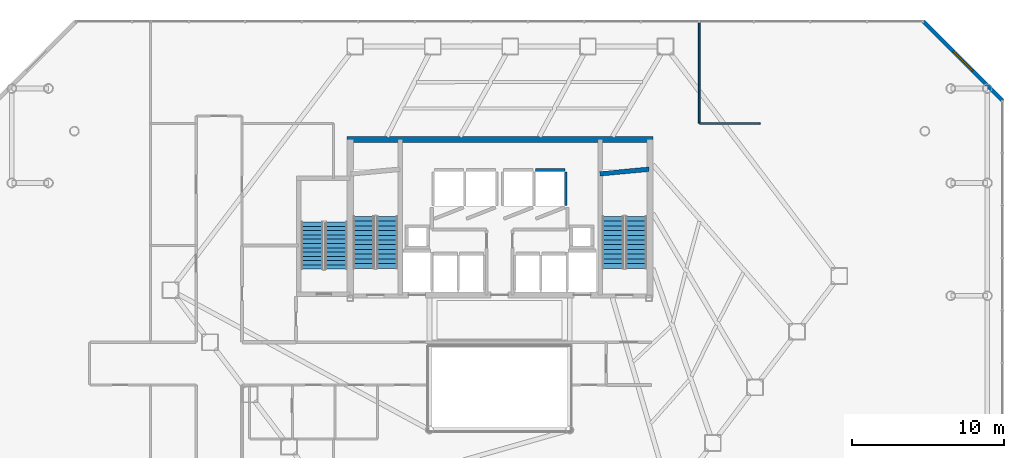
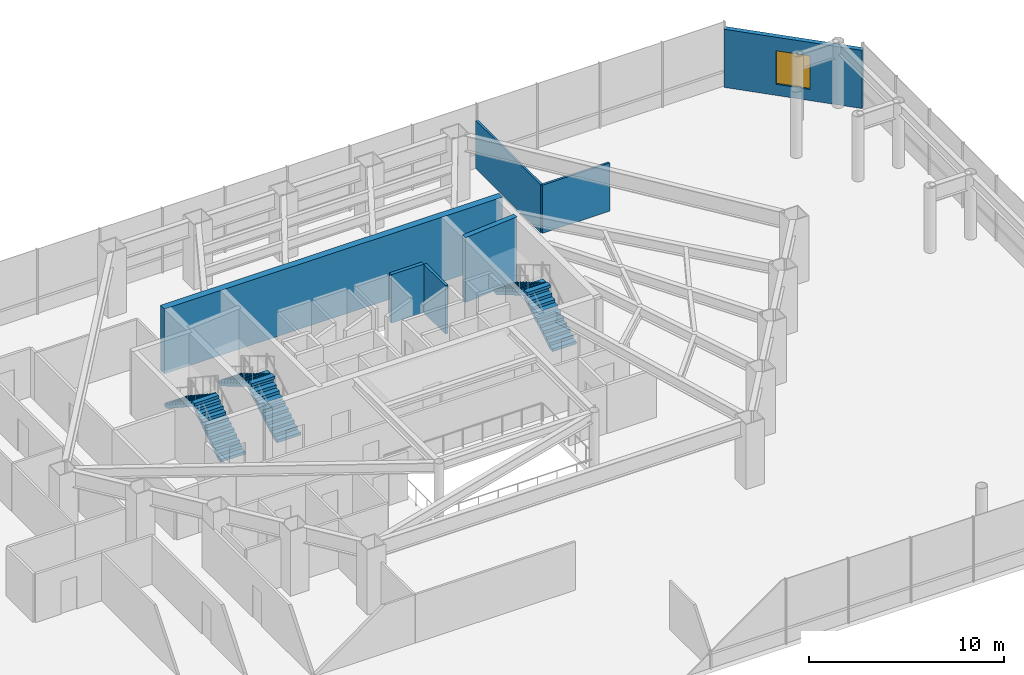
# One storey, part 32 of 33: 7 walls, 6 stair flights, 1 window, 1 opening, 3 elements without a shape of their own.
"""IFC4 building model written with IfcOpenShell, lengths in metres."""

import ifcopenshell
import ifcopenshell.guid

model = None  # the IFC model being written
_history = None  # IfcOwnerHistory: only IFC2X3 demands one
_inside = {}  # id of a spatial element -> (the spatial element, [elements in it])
_under = {}  # id of a project, library or spatial element -> (it, [spatial elements below it])
_declared = {}  # id of a project -> (the project, [libraries it declares])
_typed = {}  # id of a type object -> (the type object, [elements of that type])
_made_of = {}  # id of a material, layer set ... -> (it, [elements and type objects made of it])


def new_model(schema):
    """Start an empty IFC model of exactly this schema.

    Asked for "IFC4X3", IfcOpenShell would pick the latest addendum, in which some entities
    have other attributes; the version numbers below select the first issue.
    IFC2X3 requires an IfcOwnerHistory on every rooted entity: one is made here for all.
    """
    global model, _history
    if schema == "IFC4X3":
        model = ifcopenshell.file(schema_version=(4, 3, 0, 0))
    else:
        model = ifcopenshell.file(schema=schema)
    _inside.clear()
    _under.clear()
    _declared.clear()
    _typed.clear()
    _made_of.clear()
    _history = None
    if model.schema == "IFC2X3":
        org = make("IfcOrganization", Name="unknown")
        user = make(
            "IfcPersonAndOrganization",
            ThePerson=make("IfcPerson", FamilyName="unknown"),
            TheOrganization=org,
        )
        app = make(
            "IfcApplication",
            ApplicationDeveloper=org,
            Version="unknown",
            ApplicationFullName="unknown",
            ApplicationIdentifier="unknown",
        )
        _history = make(
            "IfcOwnerHistory",
            OwningUser=user,
            OwningApplication=app,
            ChangeAction="ADDED",
            CreationDate=0,
        )
    return model


def make(cls, **values):
    """One entity of the class cls with the attributes given. An attribute that is None is left unset."""
    return model.create_entity(
        cls, **{name: value for name, value in values.items() if value is not None}
    )


def rooted(cls, **values):
    """An entity with a GlobalId (a new one), such as an element, a storey or a relation."""
    return make(cls, GlobalId=ifcopenshell.guid.new(), OwnerHistory=_history, **values)


def si_unit(unit_type, name, prefix=None):
    """IfcSIUnit, for example si_unit("LENGTHUNIT", "METRE", prefix="MILLI")."""
    return make("IfcSIUnit", UnitType=unit_type, Prefix=prefix, Name=name)


def assignment(units):
    """IfcUnitAssignment: the units of a project."""
    return None if units is None else make("IfcUnitAssignment", Units=units)


def point(xyz):
    """IfcCartesianPoint."""
    return None if xyz is None else make("IfcCartesianPoint", Coordinates=xyz)


def direction(xyz):
    """IfcDirection."""
    return None if xyz is None else make("IfcDirection", DirectionRatios=xyz)


def frame(location, z_axis=None, x_axis=None):
    """IfcAxis2Placement3D, a coordinate frame: its origin and axes. An axis left out is left unset."""
    return make(
        "IfcAxis2Placement3D",
        Location=point(location),
        Axis=direction(z_axis),
        RefDirection=direction(x_axis),
    )


def frame_2d(location, x_axis=None):
    """IfcAxis2Placement2D, a coordinate frame in the plane: its origin and x axis."""
    return make(
        "IfcAxis2Placement2D", Location=point(location), RefDirection=direction(x_axis)
    )


def origin():
    """The frame at (0, 0, 0) with its axes left unset."""
    return frame((0.0, 0.0, 0.0))


def place(relative_to, where):
    """IfcLocalPlacement: puts the frame where relative to a parent placement (None: the world)."""
    return make(
        "IfcLocalPlacement", PlacementRelTo=relative_to, RelativePlacement=where
    )


def context(
    kind, dimensions, precision=None, world=None, true_north=None, identifier=None
):
    """IfcGeometricRepresentationContext, for example the 3D "Model" context."""
    return make(
        "IfcGeometricRepresentationContext",
        ContextIdentifier=identifier,
        ContextType=kind,
        CoordinateSpaceDimension=dimensions,
        Precision=precision,
        WorldCoordinateSystem=world,
        TrueNorth=true_north,
    )


def subcontext(parent, identifier, kind, view, scale=None):
    """IfcGeometricRepresentationSubContext, for example "Body" below "Model"."""
    return make(
        "IfcGeometricRepresentationSubContext",
        ContextIdentifier=identifier,
        ContextType=kind,
        ParentContext=parent,
        TargetScale=scale,
        TargetView=view,
    )


def project(units=None, contexts=None):
    """IfcProject with its units and contexts."""
    return rooted(
        "IfcProject",
        Name="project",
        RepresentationContexts=contexts,
        UnitsInContext=assignment(units),
    )


def spatial(cls, under=None, at=None, **own):
    """A site, building, storey or space (cls), placed at a placement, below another one or the project."""
    s = rooted(cls, ObjectPlacement=at, **own)
    if under is not None:
        _under.setdefault(under.id(), (under, []))[1].append(s)
    return s


def polyline(points):
    """IfcPolyline through the points."""
    return make("IfcPolyline", Points=[point(p) for p in points])


def profile(cls, at=None, kind="AREA", **sizes):
    """A parametric profile (cls). Its sizes go by their IFC names, for example OverallWidth=200.0."""
    return make(cls, ProfileType=kind, Position=at, **sizes)


def rectangle(**sizes):
    """IfcRectangleProfileDef."""
    return profile("IfcRectangleProfileDef", **sizes)


def outline(outer, holes=None, kind="AREA"):
    """IfcArbitraryClosedProfileDef: a profile drawn as a closed curve; with holes, ...WithVoids."""
    if holes is None:
        return make("IfcArbitraryClosedProfileDef", ProfileType=kind, OuterCurve=outer)
    return make(
        "IfcArbitraryProfileDefWithVoids",
        ProfileType=kind,
        OuterCurve=outer,
        InnerCurves=holes,
    )


def extrude(swept, where, along, depth):
    """IfcExtrudedAreaSolid: the profile swept, set in the frame where, extruded along a direction by depth."""
    return make(
        "IfcExtrudedAreaSolid",
        SweptArea=swept,
        Position=where,
        ExtrudedDirection=direction(along),
        Depth=depth,
    )


def shape(context_of_items, identifier, shape_type, items):
    """IfcShapeRepresentation: the items that make up one representation, for example the "Body"."""
    return make(
        "IfcShapeRepresentation",
        ContextOfItems=context_of_items,
        RepresentationIdentifier=identifier,
        RepresentationType=shape_type,
        Items=items,
    )


def material(Name=None, Category=None):
    """IfcMaterial."""
    return make("IfcMaterial", Name=Name, Category=Category)


def layer(
    of_material, thickness, ventilated=None, Name=None, Category=None, Priority=None
):
    """IfcMaterialLayer: one layer of a wall or slab, of a material (None: an air gap)."""
    return make(
        "IfcMaterialLayer",
        Material=of_material,
        LayerThickness=thickness,
        IsVentilated=ventilated,
        Name=Name,
        Category=Category,
        Priority=Priority,
    )


def layer_set(layers, Name=None):
    """IfcMaterialLayerSet."""
    return make("IfcMaterialLayerSet", MaterialLayers=layers, LayerSetName=Name)


def made_of(thing, what):
    """Note that an element or type object is made of a material, layer set ...; save() writes the relation."""
    if what is not None:
        _made_of.setdefault(what.id(), (what, []))[1].append(thing)
    return thing


def type_object(cls, material=None, **own):
    """A type object (cls), such as IfcWallType, which elements share."""
    return made_of(rooted(cls, **own), material)


def element(
    cls,
    number,
    at=None,
    inside=None,
    cuts=None,
    type_object=None,
    material=None,
    context=None,
    identifier="Body",
    shape_type=None,
    held_by="IfcProductDefinitionShape",
    body=None,
    shapes=None,
    **own,
):
    """One element of the class cls, such as IfcWall. Its Tag is "e" and its number.

    at: its placement. inside: the storey or other place that contains it. cuts: it is an
    opening in that element (IfcRelVoidsElement). A single representation is given by context,
    identifier, shape_type and body (its items); several are given by shapes. held_by: the class
    of the entity that holds the representations. save() writes the other relations.
    """
    e = rooted(cls, Tag="e%d" % number, ObjectPlacement=at, **own)
    if body is not None:
        shapes = [shape(context, identifier, shape_type, body)]
    if shapes is not None:
        e.Representation = make(held_by, Representations=shapes)
    if inside is not None:
        _inside.setdefault(inside.id(), (inside, []))[1].append(e)
    if cuts is not None:
        rooted(
            "IfcRelVoidsElement", RelatingBuildingElement=cuts, RelatedOpeningElement=e
        )
    if type_object is not None:
        _typed.setdefault(type_object.id(), (type_object, []))[1].append(e)
    return made_of(e, material)


def fill(opening, filler):
    """IfcRelFillsElement: the door or window that sits in an opening."""
    return rooted(
        "IfcRelFillsElement",
        RelatingOpeningElement=opening,
        RelatedBuildingElement=filler,
    )


def aggregate(whole, parts):
    """IfcRelAggregates: a whole, such as a stair, and the parts it consists of."""
    return rooted("IfcRelAggregates", RelatingObject=whole, RelatedObjects=parts)


def save(model, path):
    """Write the relations noted so far, then the file.

    IfcRelAggregates (storeys below a building ...), IfcRelContainedInSpatialStructure (elements
    in a storey), IfcRelDefinesByType, IfcRelAssociatesMaterial and IfcRelDeclares: one each for
    every whole, place, type object, material and project.
    """
    for whole, parts in _under.values():
        aggregate(whole, parts)
    for where, things in _inside.values():
        rooted(
            "IfcRelContainedInSpatialStructure",
            RelatedElements=things,
            RelatingStructure=where,
        )
    for kind, things in _typed.values():
        rooted("IfcRelDefinesByType", RelatedObjects=things, RelatingType=kind)
    for what, things in _made_of.values():
        rooted("IfcRelAssociatesMaterial", RelatedObjects=things, RelatingMaterial=what)
    for by, libraries in _declared.values():
        rooted("IfcRelDeclares", RelatingContext=by, RelatedDefinitions=libraries)
    model.write(path)


model = new_model("IFC4")

# Units and contexts
model_context = context("Model", 3, precision=1e-05, world=origin(), true_north=direction((0.0, 1.0)))
body_context = subcontext(model_context, "Body", "Model", "MODEL_VIEW")
ifc_project = project(units=[si_unit("LENGTHUNIT", "METRE"), si_unit("AREAUNIT", "SQUARE_METRE"), si_unit("VOLUMEUNIT", "CUBIC_METRE"), si_unit("PLANEANGLEUNIT", "RADIAN"), si_unit("MASSUNIT", "GRAM", prefix="KILO")], contexts=[model_context])

# Site, building, storey
site_placement = place(None, origin())
site = spatial("IfcSite", under=ifc_project, at=site_placement, CompositionType="ELEMENT")
building_placement = place(site_placement, origin())
building = spatial("IfcBuilding", under=site, at=building_placement, Name="Zarrinselat Tower", CompositionType="ELEMENT")
storey_placement = place(building_placement, frame((0.0, 0.0, 18.360107421875)))
storey = spatial("IfcBuildingStorey", under=building, at=storey_placement, Name="L04", CompositionType="ELEMENT", Elevation=18.360107421875)

# Wall, opening, window
ifc_material_1 = material(Name="Honed Cream Travertine Stone", Category="masonry")
ifc_layer_1 = layer(ifc_material_1, 0.260009765625)
ifc_layer_set_1 = layer_set([ifc_layer_1], Name="Honed Cream Travertine Stone")
wall_type_1 = type_object("IfcWallType", Name="WAL-EXT-STONE-260", PredefinedType="STANDARD", material=ifc_layer_set_1)
wall_1_placement = place(storey_placement, frame((66.199951171875, 51.199951171875, 0.0), z_axis=(0.0, 0.0, 1.0), x_axis=(0.707106781187, -0.707106781187, 0.0)))
wall_1 = element("IfcWall", 1, at=wall_1_placement, inside=storey, type_object=wall_type_1, Name="L04 Chamfered Stone Corner Wall 3", PredefinedType="STANDARD", context=body_context, shape_type="SweptSolid", body=[
    extrude(rectangle(XDim=7.353759765625, YDim=0.260009765625, at=frame_2d((3.6767578125, 0.0))), origin(), (0.0, 0.0, 1.0), 3.64990234375),
])
opening_placement = place(wall_1_placement, frame((2.777099609375, 0.0, 0.699951171875)))
opening = element("IfcOpeningElement", 2, at=opening_placement, cuts=wall_1, Name="Opening WN-2", PredefinedType="OPENING", context=body_context, shape_type="SweptSolid", body=[
    extrude(rectangle(XDim=1.800048828125, YDim=2.10009765625, at=frame_2d((0.89990234375, 1.050048828125))), frame((0.0, 0.139892578125, 0.0), z_axis=(0.0, -1.0, 0.0), x_axis=(1.0, 0.0, 0.0)), (0.0, 0.0, 1.0), 0.280029296875),
])
ifc_material_2 = material(Name="Double Low-E Laminated Solar Glass", Category="glass")
window_type = type_object("IfcWindowType", Name="WIN-GALLERY-1800", PartitioningType="SINGLE_PANEL", PredefinedType="WINDOW", material=ifc_material_2)
window_placement = place(opening_placement, origin())
window = element("IfcWindow", 3, at=window_placement, inside=storey, type_object=window_type, Name="L04 Corner Gallery Window 3", OverallHeight=2.10009765625, OverallWidth=1.800048828125, PartitioningType="SINGLE_PANEL", PredefinedType="WINDOW", context=body_context, shape_type="SweptSolid", body=[
    extrude(rectangle(XDim=1.800048828125, YDim=2.10009765625, at=frame_2d((0.89990234375, 1.050048828125))), frame((0.0, 0.030029296875, 0.0), z_axis=(0.0, -1.0, 0.0), x_axis=(1.0, 0.0, 0.0)), (0.0, 0.0, 1.0), 0.06005859375),
])
fill(opening, window)

# Walls
ifc_material_3 = material(Name="Fire-Rated Gypsum Board Partition", Category="gypsum")
ifc_layer_2 = layer(ifc_material_3, 0.1201171875)
ifc_layer_set_2 = layer_set([ifc_layer_2], Name="Fire-Rated Gypsum Board Partition")
wall_type_2 = type_object("IfcWallType", Name="WAL-PART-STD", PredefinedType="PARTITIONING", material=ifc_layer_set_2)
wall_2_placement = place(storey_placement, frame((51.52001953125, 44.5, 0.0), z_axis=(0.0, 0.0, 1.0), x_axis=(1.0, 0.0, 0.0)))
element("IfcWall", 4, at=wall_2_placement, inside=storey, type_object=wall_type_2, Name="L04 Partition Wall 51", PredefinedType="PARTITIONING", context=body_context, shape_type="SweptSolid", body=[
    extrude(rectangle(XDim=3.97998046875, YDim=0.1201171875, at=frame_2d((1.989990234375, 0.0))), origin(), (0.0, 0.0, 1.0), 3.02685546875),
])
wall_3_placement = place(storey_placement, frame((51.5, 44.52001953125, 0.0), z_axis=(0.0, 0.0, 1.0), x_axis=(0.0, 1.0, 0.0)))
element("IfcWall", 5, at=wall_3_placement, inside=storey, type_object=wall_type_2, Name="L04 Partition Wall 52", PredefinedType="PARTITIONING", context=body_context, shape_type="SweptSolid", body=[
    extrude(rectangle(XDim=6.6650390625, YDim=0.1201171875, at=frame_2d((3.33251953125, 0.0))), origin(), (0.0, 0.0, 1.0), 3.02685546875),
])
ifc_material_4 = material(Name="Concrete C40/50", Category="concrete")
ifc_layer_3 = layer(ifc_material_4, 0.2099609375)
ifc_layer_set_3 = layer_set([ifc_layer_3], Name="Concrete C40/50")
wall_type_3 = type_object("IfcWallType", Name="WAL-SHAFT-210", PredefinedType="SOLIDWALL", material=ifc_layer_set_3)
wall_4_placement = place(storey_placement, frame((40.77001953125, 41.455078125, 0.0), z_axis=(0.0, 0.0, 1.0), x_axis=(1.0, 0.0, 0.0)))
element("IfcWall", 6, at=wall_4_placement, inside=storey, type_object=wall_type_3, Name="L04 Lift PL4 Rear Shaft Wall", PredefinedType="SOLIDWALL", context=body_context, shape_type="SweptSolid", body=[
    extrude(rectangle(XDim=1.909912109375, YDim=0.2099609375, at=frame_2d((0.955078125, 0.0))), origin(), (0.0, 0.0, 1.0), 3.0419921875),
])
wall_5_placement = place(storey_placement, frame((42.75, 39.1201171875, 0.0), z_axis=(0.0, 0.0, 1.0), x_axis=(0.0, 1.0, 0.0)))
element("IfcWall", 7, at=wall_5_placement, inside=storey, type_object=wall_type_3, Name="L04 Lift PL4 E Shaft Wall", PredefinedType="SOLIDWALL", context=body_context, shape_type="SweptSolid", body=[
    extrude(rectangle(XDim=2.2099609375, YDim=0.159912109375, at=frame_2d((1.10498046875, 0.0))), origin(), (0.0, 0.0, 1.0), 3.0419921875),
])
ifc_material_5 = material(Name="Concrete C40/50", Category="concrete")
ifc_layer_4 = layer(ifc_material_5, 0.300048828125)
ifc_layer_set_4 = layer_set([ifc_layer_4], Name="Concrete C40/50")
wall_type_4 = type_object("IfcWallType", Name="WAL-SHEAR-300", PredefinedType="SHEAR", material=ifc_layer_set_4)
wall_6_placement = place(storey_placement, frame((44.97998046875, 41.199951171875, 0.0), z_axis=(0.0, 0.0, 1.0), x_axis=(0.995686468965, 0.09278176286, 0.0)))
element("IfcWall", 8, at=wall_6_placement, inside=storey, type_object=wall_type_4, Name="L04 Stair 2 North Shaft Wall", PredefinedType="SHEAR", context=body_context, shape_type="SweptSolid", body=[
    extrude(rectangle(XDim=3.23388671875, YDim=0.300048828125, at=frame_2d((1.616943359375, 0.0))), origin(), (0.0, 0.0, 1.0), 4.06982421875),
])
ifc_material_6 = material(Name="Concrete C60/75", Category="concrete")
ifc_layer_5 = layer(ifc_material_6, 0.39990234375)
ifc_layer_set_5 = layer_set([ifc_layer_5], Name="Concrete C60/75")
wall_type_5 = type_object("IfcWallType", Name="WAL-SHEAR-400", PredefinedType="SHEAR", material=ifc_layer_set_5)
wall_7_placement = place(storey_placement, frame((28.39990234375, 43.449951171875, 0.0), z_axis=(0.0, 0.0, 1.0), x_axis=(1.0, 0.0, 0.0)))
element("IfcWall", 9, at=wall_7_placement, inside=storey, type_object=wall_type_5, Name="L04 North Core Shear Wall", PredefinedType="SHEAR", context=body_context, shape_type="SweptSolid", body=[
    extrude(rectangle(XDim=20.06005859375, YDim=0.39990234375, at=frame_2d((10.030029296875, 0.0))), origin(), (0.0, 0.0, 1.0), 4.06982421875),
])

# Stair, stair flights
ifc_material_7 = material(Name="Concrete C40/50", Category="concrete")
stair_type_1 = type_object("IfcStairType", Name="STR-CORE-145", PredefinedType="HALF_TURN_STAIR", material=ifc_material_7)
stair_1_placement = place(storey_placement, origin())
stair_1 = element("IfcStair", 10, at=stair_1_placement, inside=storey, type_object=stair_type_1, Name="L04 Podium & Mid-Tower Exit Stair 3", PredefinedType="HALF_TURN_STAIR")
ifc_material_8 = material(Name="Concrete C40/50", Category="concrete")
stair_flight_type_1 = type_object("IfcStairFlightType", Name="STR-FLT-145", PredefinedType="STRAIGHT", material=ifc_material_8)
stair_flight_1_placement = place(storey_placement, frame((27.675048828125, 34.949951171875, 0.0), z_axis=(0.0, 0.0, 1.0), x_axis=(0.0, 1.0, 0.0)))
stair_flight_1 = element("IfcStairFlight", 11, at=stair_flight_1_placement, type_object=stair_flight_type_1, Name="ST-3 flight 1", NumberOfRisers=12, NumberOfTreads=11, PredefinedType="STRAIGHT", RiserHeight=0.184166667, TreadLength=0.28, context=body_context, shape_type="SweptSolid", body=[
    extrude(outline(polyline([(0.0, 0.0), (0.0, 0.18408203125), (0.280029296875, 0.18408203125), (0.280029296875, 0.368408203125), (0.56005859375, 0.368408203125), (0.56005859375, 0.552490234375), (0.840087890625, 0.552490234375), (0.840087890625, 0.736572265625), (1.1201171875, 0.736572265625), (1.1201171875, 0.9208984375), (1.39990234375, 0.9208984375), (1.39990234375, 1.10498046875), (1.679931640625, 1.10498046875), (1.679931640625, 1.2890625), (1.9599609375, 1.2890625), (1.9599609375, 1.473388671875), (2.239990234375, 1.473388671875), (2.239990234375, 1.657470703125), (2.52001953125, 1.657470703125), (2.52001953125, 1.841552734375), (2.800048828125, 1.841552734375), (2.800048828125, 2.02587890625), (3.080078125, 2.02587890625), (3.080078125, 2.2099609375), (3.080078125, 1.846435546875), (0.272705078125, 0.0), (0.0, 0.0)])), frame((0.0, 0.72509765625, 0.0), z_axis=(0.0, -1.0, 0.0), x_axis=(1.0, 0.0, 0.0)), (0.0, 0.0, 1.0), 1.449951171875),
])
stair_flight_2_placement = place(storey_placement, frame((26.10498046875, 38.030029296875, 2.2099609375), z_axis=(0.0, 0.0, 1.0), x_axis=(0.0, -1.0, 0.0)))
stair_flight_2 = element("IfcStairFlight", 12, at=stair_flight_2_placement, type_object=stair_flight_type_1, Name="ST-3 flight 2", NumberOfRisers=12, NumberOfTreads=11, PredefinedType="STRAIGHT", RiserHeight=0.184166667, TreadLength=0.28, context=body_context, shape_type="SweptSolid", body=[
    extrude(outline(polyline([(0.0, 0.0), (0.0, 0.18408203125), (0.280029296875, 0.18408203125), (0.280029296875, 0.368408203125), (0.56005859375, 0.368408203125), (0.56005859375, 0.552490234375), (0.840087890625, 0.552490234375), (0.840087890625, 0.736572265625), (1.1201171875, 0.736572265625), (1.1201171875, 0.9208984375), (1.39990234375, 0.9208984375), (1.39990234375, 1.10498046875), (1.679931640625, 1.10498046875), (1.679931640625, 1.2890625), (1.9599609375, 1.2890625), (1.9599609375, 1.473388671875), (2.239990234375, 1.473388671875), (2.239990234375, 1.657470703125), (2.52001953125, 1.657470703125), (2.52001953125, 1.841552734375), (2.800048828125, 1.841552734375), (2.800048828125, 2.02587890625), (3.080078125, 2.02587890625), (3.080078125, 2.2099609375), (3.080078125, 1.846435546875), (0.272705078125, 0.0), (0.0, 0.0)])), frame((0.0, 0.72509765625, 0.0), z_axis=(0.0, -1.0, 0.0), x_axis=(1.0, 0.0, 0.0)), (0.0, 0.0, 1.0), 1.449951171875),
])
aggregate(stair_1, [stair_flight_1, stair_flight_2])

ifc_material_9 = material(Name="Concrete C40/50", Category="concrete")
stair_type_2 = type_object("IfcStairType", Name="STR-CORE-155", PredefinedType="HALF_TURN_STAIR", material=ifc_material_9)
stair_2_placement = place(storey_placement, origin())
stair_2 = element("IfcStair", 13, at=stair_2_placement, inside=storey, type_object=stair_type_2, Name="L04 Core Exit Stair 1", PredefinedType="HALF_TURN_STAIR")
ifc_material_10 = material(Name="Concrete C40/50", Category="concrete")
stair_flight_type_2 = type_object("IfcStairFlightType", Name="STR-FLT-155", PredefinedType="STRAIGHT", material=ifc_material_10)
stair_flight_3_placement = place(storey_placement, frame((31.02001953125, 35.0, 0.0), z_axis=(0.0, 0.0, 1.0), x_axis=(0.0, 1.0, 0.0)))
stair_flight_3 = element("IfcStairFlight", 14, at=stair_flight_3_placement, type_object=stair_flight_type_2, Name="ST-1 flight 1", NumberOfRisers=12, NumberOfTreads=11, PredefinedType="STRAIGHT", RiserHeight=0.184166667, TreadLength=0.31, context=body_context, shape_type="SweptSolid", body=[
    extrude(outline(polyline([(0.0, 0.0), (0.0, 0.18408203125), (0.31005859375, 0.18408203125), (0.31005859375, 0.368408203125), (0.6201171875, 0.368408203125), (0.6201171875, 0.552490234375), (0.929931640625, 0.552490234375), (0.929931640625, 0.736572265625), (1.239990234375, 0.736572265625), (1.239990234375, 0.9208984375), (1.550048828125, 0.9208984375), (1.550048828125, 1.10498046875), (1.860107421875, 1.10498046875), (1.860107421875, 1.2890625), (2.169921875, 1.2890625), (2.169921875, 1.473388671875), (2.47998046875, 1.473388671875), (2.47998046875, 1.657470703125), (2.7900390625, 1.657470703125), (2.7900390625, 1.841552734375), (3.10009765625, 1.841552734375), (3.10009765625, 2.02587890625), (3.409912109375, 2.02587890625), (3.409912109375, 2.2099609375), (3.409912109375, 1.8515625), (0.29345703125, 0.0), (0.0, 0.0)])), frame((0.0, 0.699951171875, 0.0), z_axis=(0.0, -1.0, 0.0), x_axis=(1.0, 0.0, 0.0)), (0.0, 0.0, 1.0), 1.39990234375),
])
stair_flight_4_placement = place(storey_placement, frame((29.5, 38.409912109375, 2.2099609375), z_axis=(0.0, 0.0, 1.0), x_axis=(0.0, -1.0, 0.0)))
stair_flight_4 = element("IfcStairFlight", 15, at=stair_flight_4_placement, type_object=stair_flight_type_2, Name="ST-1 flight 2", NumberOfRisers=12, NumberOfTreads=11, PredefinedType="STRAIGHT", RiserHeight=0.184166667, TreadLength=0.31, context=body_context, shape_type="SweptSolid", body=[
    extrude(outline(polyline([(0.0, 0.0), (0.0, 0.18408203125), (0.31005859375, 0.18408203125), (0.31005859375, 0.368408203125), (0.6201171875, 0.368408203125), (0.6201171875, 0.552490234375), (0.929931640625, 0.552490234375), (0.929931640625, 0.736572265625), (1.239990234375, 0.736572265625), (1.239990234375, 0.9208984375), (1.550048828125, 0.9208984375), (1.550048828125, 1.10498046875), (1.860107421875, 1.10498046875), (1.860107421875, 1.2890625), (2.169921875, 1.2890625), (2.169921875, 1.473388671875), (2.47998046875, 1.473388671875), (2.47998046875, 1.657470703125), (2.7900390625, 1.657470703125), (2.7900390625, 1.841552734375), (3.10009765625, 1.841552734375), (3.10009765625, 2.02587890625), (3.409912109375, 2.02587890625), (3.409912109375, 2.2099609375), (3.409912109375, 1.8515625), (0.29345703125, 0.0), (0.0, 0.0)])), frame((0.0, 0.699951171875, 0.0), z_axis=(0.0, -1.0, 0.0), x_axis=(1.0, 0.0, 0.0)), (0.0, 0.0, 1.0), 1.39990234375),
])
aggregate(stair_2, [stair_flight_3, stair_flight_4])

stair_3_placement = place(storey_placement, origin())
stair_3 = element("IfcStair", 16, at=stair_3_placement, inside=storey, type_object=stair_type_2, Name="L04 Core Exit Stair 2", PredefinedType="HALF_TURN_STAIR")
stair_flight_5_placement = place(storey_placement, frame((47.360107421875, 35.0, 0.0), z_axis=(0.0, 0.0, 1.0), x_axis=(0.0, 1.0, 0.0)))
stair_flight_5 = element("IfcStairFlight", 17, at=stair_flight_5_placement, type_object=stair_flight_type_2, Name="ST-2 flight 1", NumberOfRisers=12, NumberOfTreads=11, PredefinedType="STRAIGHT", RiserHeight=0.184166667, TreadLength=0.31, context=body_context, shape_type="SweptSolid", body=[
    extrude(outline(polyline([(0.0, 0.0), (0.0, 0.18408203125), (0.31005859375, 0.18408203125), (0.31005859375, 0.368408203125), (0.6201171875, 0.368408203125), (0.6201171875, 0.552490234375), (0.929931640625, 0.552490234375), (0.929931640625, 0.736572265625), (1.239990234375, 0.736572265625), (1.239990234375, 0.9208984375), (1.550048828125, 0.9208984375), (1.550048828125, 1.10498046875), (1.860107421875, 1.10498046875), (1.860107421875, 1.2890625), (2.169921875, 1.2890625), (2.169921875, 1.473388671875), (2.47998046875, 1.473388671875), (2.47998046875, 1.657470703125), (2.7900390625, 1.657470703125), (2.7900390625, 1.841552734375), (3.10009765625, 1.841552734375), (3.10009765625, 2.02587890625), (3.409912109375, 2.02587890625), (3.409912109375, 2.2099609375), (3.409912109375, 1.8515625), (0.29345703125, 0.0), (0.0, 0.0)])), frame((0.0, 0.699951171875, 0.0), z_axis=(0.0, -1.0, 0.0), x_axis=(1.0, 0.0, 0.0)), (0.0, 0.0, 1.0), 1.39990234375),
])
stair_flight_6_placement = place(storey_placement, frame((45.840087890625, 38.409912109375, 2.2099609375), z_axis=(0.0, 0.0, 1.0), x_axis=(0.0, -1.0, 0.0)))
stair_flight_6 = element("IfcStairFlight", 18, at=stair_flight_6_placement, type_object=stair_flight_type_2, Name="ST-2 flight 2", NumberOfRisers=12, NumberOfTreads=11, PredefinedType="STRAIGHT", RiserHeight=0.184166667, TreadLength=0.31, context=body_context, shape_type="SweptSolid", body=[
    extrude(outline(polyline([(0.0, 0.0), (0.0, 0.18408203125), (0.31005859375, 0.18408203125), (0.31005859375, 0.368408203125), (0.6201171875, 0.368408203125), (0.6201171875, 0.552490234375), (0.929931640625, 0.552490234375), (0.929931640625, 0.736572265625), (1.239990234375, 0.736572265625), (1.239990234375, 0.9208984375), (1.550048828125, 0.9208984375), (1.550048828125, 1.10498046875), (1.860107421875, 1.10498046875), (1.860107421875, 1.2890625), (2.169921875, 1.2890625), (2.169921875, 1.473388671875), (2.47998046875, 1.473388671875), (2.47998046875, 1.657470703125), (2.7900390625, 1.657470703125), (2.7900390625, 1.841552734375), (3.10009765625, 1.841552734375), (3.10009765625, 2.02587890625), (3.409912109375, 2.02587890625), (3.409912109375, 2.2099609375), (3.409912109375, 1.8515625), (0.29345703125, 0.0), (0.0, 0.0)])), frame((0.0, 0.699951171875, 0.0), z_axis=(0.0, -1.0, 0.0), x_axis=(1.0, 0.0, 0.0)), (0.0, 0.0, 1.0), 1.39990234375),
])
aggregate(stair_3, [stair_flight_5, stair_flight_6])

save(model, "model.ifc")
